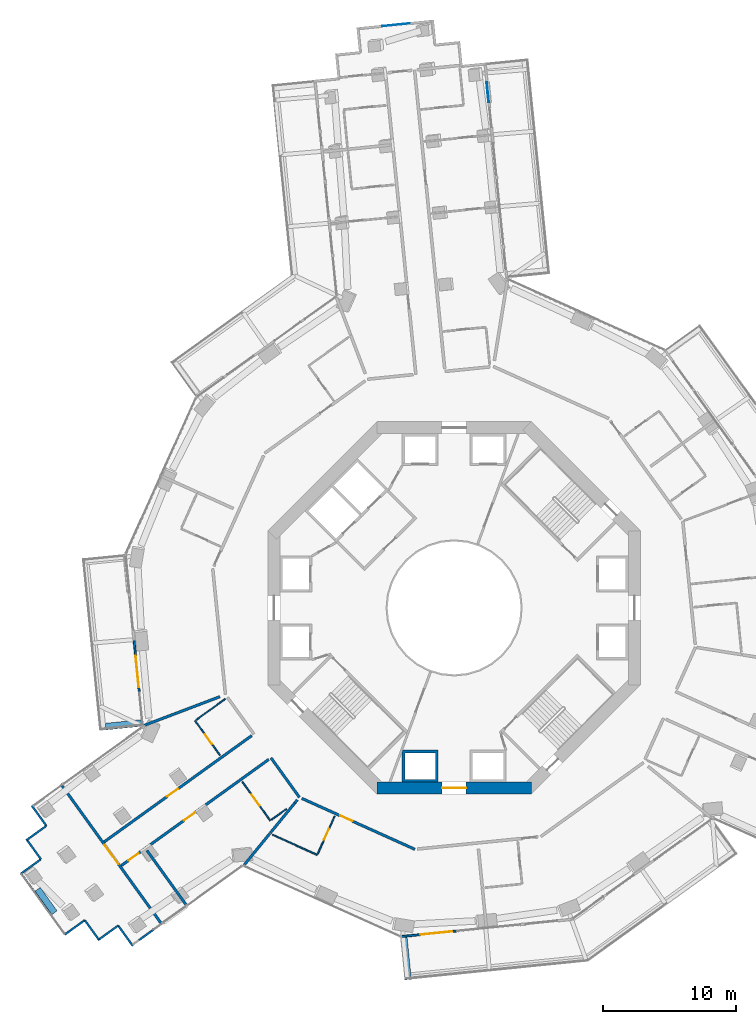
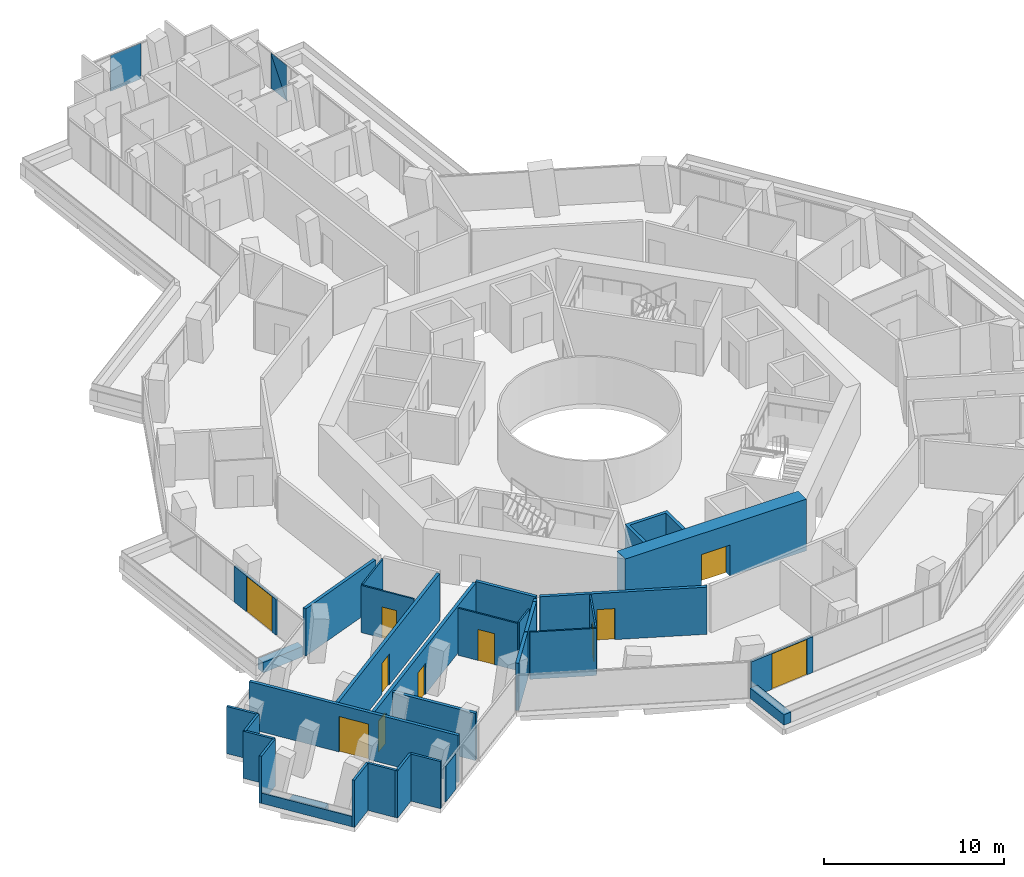
# One storey, part 18 of 26: 33 walls, 11 doors, 3 plates, 11 openings, 2 elements without a shape of their own.
"""IFC4 building model written with IfcOpenShell, lengths in metres."""

from ifc_helpers import new_model, si_unit, direction, frame, frame_2d, origin, origin_2d, place, context, subcontext, project, spatial, polyline, rectangle, outline, extrude, material, layer, layer_set, type_object, element, fill, aggregate, save


model = new_model("IFC4")

# Units and contexts
model_context = context("Model", 3, precision=1e-05, world=origin(), true_north=direction((0.0, 1.0)))
body_context = subcontext(model_context, "Body", "Model", "MODEL_VIEW")
ifc_project = project(units=[si_unit("LENGTHUNIT", "METRE"), si_unit("AREAUNIT", "SQUARE_METRE"), si_unit("VOLUMEUNIT", "CUBIC_METRE"), si_unit("PLANEANGLEUNIT", "RADIAN"), si_unit("MASSUNIT", "GRAM", prefix="KILO")], contexts=[model_context])

# Site, building, storey
site_placement = place(None, origin())
site = spatial("IfcSite", under=ifc_project, at=site_placement, CompositionType="ELEMENT")
building_placement = place(site_placement, origin())
building = spatial("IfcBuilding", under=site, at=building_placement, Name="Verdalira Terraces Hotel", CompositionType="ELEMENT")
storey_placement = place(building_placement, frame((0.0, 0.0, 56.5)))
storey = spatial("IfcBuildingStorey", under=building, at=storey_placement, Name="L12", CompositionType="ELEMENT", Elevation=56.5)

# Curtain wall, plates
ifc_material_1 = material(Name="Clear glass", Category="glass")
ifc_layer_1 = layer(ifc_material_1, 0.14990234375)
ifc_layer_set_1 = layer_set([ifc_layer_1], Name="CW2 curtain wall")
curtain_wall_type_1 = type_object("IfcCurtainWallType", Name="CW2 curtain wall", PredefinedType="NOTDEFINED", material=ifc_layer_set_1)
curtain_wall_1_placement = place(storey_placement, origin())
curtain_wall_1 = element("IfcCurtainWall", 1, at=curtain_wall_1_placement, inside=storey, type_object=curtain_wall_type_1, Name="CW2 curtain wall L12 edge 0", PredefinedType="NOTDEFINED")
ifc_material_2 = material(Name="Clear glass", Category="glass")
ifc_layer_2 = layer(ifc_material_2, 0.031982421875)
ifc_layer_set_2 = layer_set([ifc_layer_2], Name="CW2 glass unit 32")
plate_type_1 = type_object("IfcPlateType", Name="CW2 glass unit 32", PredefinedType="CURTAIN_PANEL", material=ifc_layer_set_2)
plate_1_placement = place(storey_placement, frame((2.53125, 38.764404, 1.212402), z_axis=(0.994951017, 0.100361715, 0.0), x_axis=(-0.100361715, 0.994951017, 0.0)))
plate_1 = element("IfcPlate", 2, at=plate_1_placement, type_object=plate_type_1, Name="CW2 glass unit", PredefinedType="CURTAIN_PANEL", context=body_context, shape_type="SweptSolid", body=[
    extrude(outline(polyline([(-0.759277, -1.212402), (0.759277, -1.212402), (0.759277, 1.212402), (-0.759277, -1.212402)])), origin(), (0.0, 0.0, 1.0), 0.031982),
])
plate_2_placement = place(storey_placement, frame((2.498535, 38.76123, 1.212402), z_axis=(0.994951017, 0.100361715, 0.0), x_axis=(-0.100361715, 0.994951017, 0.0)))
plate_2 = element("IfcPlate", 3, at=plate_2_placement, type_object=plate_type_1, Name="CW2 glass unit", PredefinedType="CURTAIN_PANEL", context=body_context, shape_type="SweptSolid", body=[
    extrude(outline(polyline([(-0.759277, -1.212402), (0.759277, 1.212402), (-0.759277, 1.212402), (-0.759277, -1.212402)])), origin(), (0.0, 0.0, 1.0), 0.031982),
])
aggregate(curtain_wall_1, [plate_1, plate_2])

# Curtain wall, plate
ifc_material_3 = material(Name="Clear glass", Category="glass")
ifc_layer_3 = layer(ifc_material_3, 0.14990234375)
ifc_layer_set_3 = layer_set([ifc_layer_3], Name="CW3 curtain wall")
curtain_wall_type_2 = type_object("IfcCurtainWallType", Name="CW3 curtain wall", PredefinedType="NOTDEFINED", material=ifc_layer_set_3)
curtain_wall_2_placement = place(storey_placement, origin())
curtain_wall_2 = element("IfcCurtainWall", 4, at=curtain_wall_2_placement, inside=storey, type_object=curtain_wall_type_2, Name="CW3 curtain wall L12 edge 5", PredefinedType="NOTDEFINED")
ifc_material_4 = material(Name="Clear glass", Category="glass")
ifc_layer_4 = layer(ifc_material_4, 0.035888671875)
ifc_layer_set_4 = layer_set([ifc_layer_4], Name="CW3 glass unit 36")
plate_type_2 = type_object("IfcPlateType", Name="CW3 glass unit 36", PredefinedType="CURTAIN_PANEL", material=ifc_layer_set_4)
plate_3_placement = place(storey_placement, frame((-4.371338, 43.83667, 0.0), z_axis=(0.0, 0.0, 1.0), x_axis=(-0.994951017, -0.100361715, 0.0)))
plate_3 = element("IfcPlate", 5, at=plate_3_placement, type_object=plate_type_2, Name="CW3 glass unit", PredefinedType="CURTAIN_PANEL", context=body_context, shape_type="SweptSolid", body=[
    extrude(rectangle(XDim=2.080322, YDim=0.035889, at=origin_2d()), origin(), (0.0, 0.0, 1.0), 2.425049),
])
aggregate(curtain_wall_2, [plate_3])

# Walls
ifc_material_5 = material(Name="Concrete C40", Category="concrete")
ifc_layer_5 = layer(ifc_material_5, 0.5)
ifc_layer_set_5 = layer_set([ifc_layer_5], Name="Balcony planter trough with tree")
wall_type_1 = type_object("IfcWallType", Name="Balcony planter trough with tree", PredefinedType="SOLIDWALL", material=ifc_layer_set_5)
wall_1_placement = place(storey_placement, frame((-26.195068, -8.924072, 0.0), z_axis=(0.0, 0.0, 1.0), x_axis=(0.994947233, 0.100399221, 0.0)))
element("IfcWall", 6, at=wall_1_placement, inside=storey, type_object=wall_type_1, Name="Balcony planter", PredefinedType="SOLIDWALL", context=body_context, shape_type="SweptSolid", body=[
    extrude(rectangle(XDim=2.699219, YDim=0.5, at=frame_2d((1.349609, 0.0))), origin(), (0.0, 0.0, 1.0), 0.699951),
])
wall_2_placement = place(storey_placement, frame((-3.783691, -24.76416, 0.0), z_axis=(0.0, 0.0, 1.0), x_axis=(0.100357532, -0.994951439, 0.0)))
element("IfcWall", 7, at=wall_2_placement, inside=storey, type_object=wall_type_1, Name="Balcony planter", PredefinedType="SOLIDWALL", context=body_context, shape_type="SweptSolid", body=[
    extrude(rectangle(XDim=3.198975, YDim=0.5, at=frame_2d((1.599609, 0.0))), origin(), (0.0, 0.0, 1.0), 0.699951),
])

# Wall, opening, door
ifc_material_6 = material(Name="Moisture-resistant gypsum board partition")
ifc_layer_6 = layer(ifc_material_6, 0.10009765625)
ifc_layer_set_6 = layer_set([ifc_layer_6], Name="Bathroom partition 100 mm")
wall_type_2 = type_object("IfcWallType", Name="Bathroom partition 100 mm", PredefinedType="PARTITIONING", material=ifc_layer_set_6)
wall_3_placement = place(storey_placement, frame((-19.474609, -8.479492, 0.0), z_axis=(0.0, 0.0, 1.0), x_axis=(0.584409233, -0.811459086, 0.0)))
wall_3 = element("IfcWall", 8, at=wall_3_placement, inside=storey, type_object=wall_type_2, Name="Bathroom partition", PredefinedType="PARTITIONING", context=body_context, shape_type="SweptSolid", body=[
    extrude(rectangle(XDim=3.199951, YDim=0.100098, at=frame_2d((1.600098, 0.0))), origin(), (0.0, 0.0, 1.0), 3.189941),
])
opening_1_placement = place(wall_3_placement, frame((1.25, 0.0, 0.0)))
opening_1 = element("IfcOpeningElement", 9, at=opening_1_placement, cuts=wall_3, Name="Opening L12-117", PredefinedType="OPENING", context=body_context, shape_type="SweptSolid", body=[
    extrude(rectangle(XDim=0.899902, YDim=2.100098, at=frame_2d((0.449951, 1.050049))), frame((0.0, 0.060059, 0.0), z_axis=(0.0, -1.0, 0.0), x_axis=(1.0, 0.0, 0.0)), (0.0, 0.0, 1.0), 0.120117),
])
ifc_material_7 = material(Name="Timber door", Category="wood")
door_type_1 = type_object("IfcDoorType", Name="Bathroom door 900 x 2100", OperationType="NOTDEFINED", PredefinedType="DOOR", material=ifc_material_7)
door_1_placement = place(opening_1_placement, origin())
door_1 = element("IfcDoor", 10, at=door_1_placement, inside=storey, type_object=door_type_1, Name="Bathroom door 1206", OperationType="SINGLE_SWING_LEFT", OverallHeight=2.10009765625, OverallWidth=0.89990234375, PredefinedType="DOOR", context=body_context, shape_type="SweptSolid", body=[
    extrude(rectangle(XDim=0.899902, YDim=2.100098, at=frame_2d((0.449951, 1.050049))), frame((0.0, 0.024902, 0.0), z_axis=(0.0, -1.0, 0.0), x_axis=(1.0, 0.0, 0.0)), (0.0, 0.0, 1.0), 0.050049),
])
fill(opening_1, door_1)

# Wall
wall_4_placement = place(storey_placement, frame((-19.393311, -8.420898, 0.0), z_axis=(0.0, 0.0, 1.0), x_axis=(0.811460586, 0.58440715, 0.0)))
element("IfcWall", 11, at=wall_4_placement, inside=storey, type_object=wall_type_2, Name="Bathroom partition", PredefinedType="PARTITIONING", context=body_context, shape_type="SweptSolid", body=[
    extrude(rectangle(XDim=2.699951, YDim=0.100098, at=frame_2d((1.350098, 0.0))), origin(), (0.0, 0.0, 1.0), 3.189941),
])

# Wall, opening, door
wall_5_placement = place(storey_placement, frame((-15.922852, -13.069092, 0.0), z_axis=(0.0, 0.0, 1.0), x_axis=(0.584402985, -0.811463586, 0.0)))
wall_5 = element("IfcWall", 12, at=wall_5_placement, inside=storey, type_object=wall_type_2, Name="Bathroom partition", PredefinedType="PARTITIONING", context=body_context, shape_type="SweptSolid", body=[
    extrude(rectangle(XDim=3.599854, YDim=0.100098, at=frame_2d((1.799805, 0.0))), origin(), (0.0, 0.0, 1.0), 3.189941),
])
opening_2_placement = place(wall_5_placement, frame((1.199951, 0.0, 0.0)))
opening_2 = element("IfcOpeningElement", 13, at=opening_2_placement, cuts=wall_5, Name="Opening L12-120", PredefinedType="OPENING", context=body_context, shape_type="SweptSolid", body=[
    extrude(rectangle(XDim=1.0, YDim=2.100098, at=frame_2d((0.5, 1.050049))), frame((0.0, 0.060059, 0.0), z_axis=(0.0, -1.0, 0.0), x_axis=(1.0, 0.0, 0.0)), (0.0, 0.0, 1.0), 0.120117),
])
ifc_material_8 = material(Name="Timber door", Category="wood")
door_type_2 = type_object("IfcDoorType", Name="Bathroom door 1000 x 2100", OperationType="NOTDEFINED", PredefinedType="DOOR", material=ifc_material_8)
door_2_placement = place(opening_2_placement, origin())
door_2 = element("IfcDoor", 14, at=door_2_placement, inside=storey, type_object=door_type_2, Name="Bathroom door 1208", OperationType="SINGLE_SWING_RIGHT", OverallHeight=2.10009765625, OverallWidth=1.0, PredefinedType="DOOR", context=body_context, shape_type="SweptSolid", body=[
    extrude(rectangle(XDim=1.0, YDim=2.100098, at=frame_2d((0.5, 1.050049))), frame((0.0, 0.024902, 0.0), z_axis=(0.0, -1.0, 0.0), x_axis=(1.0, 0.0, 0.0)), (0.0, 0.0, 1.0), 0.050049),
])
fill(opening_2, door_2)

# Walls
wall_6_placement = place(storey_placement, frame((-12.603027, -15.114502, 0.0), z_axis=(0.0, 0.0, 1.0), x_axis=(-0.811415122, -0.584470273, 0.0)))
element("IfcWall", 15, at=wall_6_placement, inside=storey, type_object=wall_type_2, Name="Bathroom partition", PredefinedType="PARTITIONING", context=body_context, shape_type="SweptSolid", body=[
    extrude(rectangle(XDim=1.398438, YDim=0.100098, at=frame_2d((0.699219, 0.0))), origin(), (0.0, 0.0, 1.0), 3.189941),
])
wall_7_placement = place(storey_placement, frame((-10.290039, -18.571045, 0.0), z_axis=(0.0, 0.0, 1.0), x_axis=(-0.911830219, 0.410567474, 0.0)))
element("IfcWall", 16, at=wall_7_placement, inside=storey, type_object=wall_type_2, Name="Bathroom partition", PredefinedType="PARTITIONING", context=body_context, shape_type="SweptSolid", body=[
    extrude(rectangle(XDim=3.704102, YDim=0.100098, at=frame_2d((1.852051, 0.0))), origin(), (0.0, 0.0, 1.0), 3.189941),
])

# Wall, opening, door
wall_8_placement = place(storey_placement, frame((-10.249023, -18.479736, 0.0), z_axis=(0.0, 0.0, 1.0), x_axis=(0.4105546, 0.911836016, 0.0)))
wall_8 = element("IfcWall", 17, at=wall_8_placement, inside=storey, type_object=wall_type_2, Name="Bathroom partition", PredefinedType="PARTITIONING", context=body_context, shape_type="SweptSolid", body=[
    extrude(rectangle(XDim=3.099854, YDim=0.100098, at=frame_2d((1.549805, 0.0))), origin(), (0.0, 0.0, 1.0), 3.189941),
])
opening_3_placement = place(wall_8_placement, frame((1.149902, 0.0, 0.0)))
opening_3 = element("IfcOpeningElement", 18, at=opening_3_placement, cuts=wall_8, Name="Opening L12-122", PredefinedType="OPENING", context=body_context, shape_type="SweptSolid", body=[
    extrude(rectangle(XDim=0.899902, YDim=2.100098, at=frame_2d((0.449951, 1.050049))), frame((0.0, 0.060059, 0.0), z_axis=(0.0, -1.0, 0.0), x_axis=(1.0, 0.0, 0.0)), (0.0, 0.0, 1.0), 0.120117),
])
door_3_placement = place(opening_3_placement, origin())
door_3 = element("IfcDoor", 19, at=door_3_placement, inside=storey, type_object=door_type_1, Name="Bathroom door 1209", OperationType="SINGLE_SWING_LEFT", OverallHeight=2.10009765625, OverallWidth=0.89990234375, PredefinedType="DOOR", context=body_context, shape_type="SweptSolid", body=[
    extrude(rectangle(XDim=0.899902, YDim=2.100098, at=frame_2d((0.449951, 1.050049))), frame((0.0, 0.024902, 0.0), z_axis=(0.0, -1.0, 0.0), x_axis=(1.0, 0.0, 0.0)), (0.0, 0.0, 1.0), 0.050049),
])
fill(opening_3, door_3)

# Wall
ifc_material_9 = material(Name="Concrete C50", Category="concrete")
ifc_layer_7 = layer(ifc_material_9, 0.199951171875)
ifc_layer_set_7 = layer_set([ifc_layer_7], Name="Core RC wall 200 C50")
wall_type_3 = type_object("IfcWallType", Name="Core RC wall 200 C50", PredefinedType="SOLIDWALL", material=ifc_layer_set_7)
wall_9_placement = place(storey_placement, origin())
element("IfcWall", 20, at=wall_9_placement, inside=storey, type_object=wall_type_3, Name="L12 shaft wall S1", PredefinedType="SOLIDWALL", context=body_context, shape_type="SweptSolid", body=[
    extrude(outline(polyline([(-1.199951, -13.100098), (-3.899902, -13.100098), (-3.899902, -10.699951), (-1.199951, -10.699951), (-1.199951, -13.100098)]), holes=[polyline([(-3.699951, -10.899902), (-3.699951, -12.899902), (-1.399902, -12.899902), (-1.399902, -10.899902), (-3.699951, -10.899902)])]), origin(), (0.0, 0.0, 1.0), 3.189941),
])

# Wall, opening, door
ifc_material_10 = material(Name="Concrete C70", Category="concrete")
ifc_layer_8 = layer(ifc_material_10, 0.89990234375)
ifc_layer_set_8 = layer_set([ifc_layer_8], Name="Core wall 900 C70")
wall_type_4 = type_object("IfcWallType", Name="Core wall 900 C70", PredefinedType="SHEAR", material=ifc_layer_set_8)
wall_10_placement = place(storey_placement, frame((-5.799072, -13.550049, 0.0), z_axis=(0.0, 0.0, 1.0), x_axis=(1.0, 0.0, 0.0)))
wall_10 = element("IfcWall", 21, at=wall_10_placement, inside=storey, type_object=wall_type_4, Name="Core wall CW-L12-7", PredefinedType="SHEAR", context=body_context, shape_type="SweptSolid", body=[
    extrude(rectangle(XDim=11.598145, YDim=0.899902, at=frame_2d((5.799072, 0.0))), origin(), (0.0, 0.0, 1.0), 3.5),
])
opening_4_placement = place(wall_10_placement, frame((4.898926, 0.0, 0.0)))
opening_4 = element("IfcOpeningElement", 22, at=opening_4_placement, cuts=wall_10, Name="Opening L12-815", PredefinedType="OPENING", context=body_context, shape_type="SweptSolid", body=[
    extrude(rectangle(XDim=1.800049, YDim=2.100098, at=frame_2d((0.899902, 1.050049))), frame((0.0, 0.459961, 0.0), z_axis=(0.0, -1.0, 0.0), x_axis=(1.0, 0.0, 0.0)), (0.0, 0.0, 1.0), 0.919922),
])
ifc_material_11 = material(Name="Steel fire door", Category="steel")
door_type_3 = type_object("IfcDoorType", Name="Core entry door pair 1800 x 2100", OperationType="NOTDEFINED", PredefinedType="DOOR", material=ifc_material_11)
door_4_placement = place(opening_4_placement, origin())
door_4 = element("IfcDoor", 23, at=door_4_placement, inside=storey, type_object=door_type_3, Name="Core entry door L12 6", OperationType="DOUBLE_DOOR_SINGLE_SWING", OverallHeight=2.10009765625, OverallWidth=1.800048828125, PredefinedType="DOOR", context=body_context, shape_type="SweptSolid", body=[
    extrude(rectangle(XDim=1.800049, YDim=2.100098, at=frame_2d((0.899902, 1.050049))), frame((0.0, 0.024902, 0.0), z_axis=(0.0, -1.0, 0.0), x_axis=(1.0, 0.0, 0.0)), (0.0, 0.0, 1.0), 0.050049),
])
fill(opening_4, door_4)

# Walls
ifc_material_12 = material(Name="Fire-rated gypsum board wall")
ifc_layer_9 = layer(ifc_material_12, 0.199951171875)
ifc_layer_set_9 = layer_set([ifc_layer_9], Name="Demising wall 200 mm")
wall_type_5 = type_object("IfcWallType", Name="Demising wall 200 mm", PredefinedType="SOLIDWALL", material=ifc_layer_set_9)
wall_11_placement = place(storey_placement, frame((-17.609375, -6.675049, 0.0), z_axis=(0.0, 0.0, 1.0), x_axis=(-0.935069892, -0.354463393, 0.0)))
element("IfcWall", 24, at=wall_11_placement, inside=storey, type_object=wall_type_5, Name="Demising wall", PredefinedType="SOLIDWALL", context=body_context, shape_type="SweptSolid", body=[
    extrude(rectangle(XDim=6.13208, YDim=0.199951, at=frame_2d((3.065918, 0.0))), origin(), (0.0, 0.0, 1.0), 3.189941),
])
wall_12_placement = place(storey_placement, frame((-13.85498, -16.963623, 0.0), z_axis=(0.0, 0.0, 1.0), x_axis=(-0.632560086, -0.77451129, 0.0)))
element("IfcWall", 25, at=wall_12_placement, inside=storey, type_object=wall_type_5, Name="Demising wall", PredefinedType="SOLIDWALL", context=body_context, shape_type="SweptSolid", body=[
    extrude(rectangle(XDim=3.061523, YDim=0.199951, at=frame_2d((1.530762, 0.0))), origin(), (0.0, 0.0, 1.0), 3.189941),
])
wall_13_placement = place(storey_placement, frame((-11.97583, -14.663086, 0.0), z_axis=(0.0, 0.0, 1.0), x_axis=(-0.632623877, -0.774459186, 0.0)))
element("IfcWall", 26, at=wall_13_placement, inside=storey, type_object=wall_type_5, Name="Demising wall", PredefinedType="SOLIDWALL", context=body_context, shape_type="SweptSolid", body=[
    extrude(rectangle(XDim=2.924561, YDim=0.199951, at=frame_2d((1.462402, 0.0))), origin(), (0.0, 0.0, 1.0), 3.189941),
])
wall_14_placement = place(storey_placement, frame((-11.7854, -14.429688, 0.0), z_axis=(0.0, 0.0, 1.0), x_axis=(-0.63217795, -0.774823231, 0.0)))
element("IfcWall", 27, at=wall_14_placement, inside=storey, type_object=wall_type_5, Name="Demising wall", PredefinedType="SOLIDWALL", context=body_context, shape_type="SweptSolid", body=[
    extrude(rectangle(XDim=0.30127, YDim=0.199951, at=frame_2d((0.150635, 0.0))), origin(), (0.0, 0.0, 1.0), 3.189941),
])

# Wall, opening, door
ifc_material_13 = material(Name="Fire-rated gypsum board wall")
ifc_layer_10 = layer(ifc_material_13, 0.199951171875)
ifc_layer_set_10 = layer_set([ifc_layer_10], Name="Guest corridor wall 200 mm")
wall_type_6 = type_object("IfcWallType", Name="Guest corridor wall 200 mm", PredefinedType="SOLIDWALL", material=ifc_layer_set_10)
wall_15_placement = place(storey_placement, frame((-26.325195, -17.602783, 0.0), z_axis=(0.0, 0.0, 1.0), x_axis=(0.811471763, 0.584391631, 0.0)))
wall_15 = element("IfcWall", 28, at=wall_15_placement, inside=storey, type_object=wall_type_6, Name="Guest corridor wall", PredefinedType="SOLIDWALL", context=body_context, shape_type="SweptSolid", body=[
    extrude(rectangle(XDim=13.690674, YDim=0.199951, at=frame_2d((6.845215, 0.0))), origin(), (0.0, 0.0, 1.0), 3.189941),
])
opening_5_placement = place(wall_15_placement, frame((5.850098, 0.0, 0.0)))
opening_5 = element("IfcOpeningElement", 29, at=opening_5_placement, cuts=wall_15, Name="Opening L12-116", PredefinedType="OPENING", context=body_context, shape_type="SweptSolid", body=[
    extrude(rectangle(XDim=1.0, YDim=2.100098, at=frame_2d((0.5, 1.050049))), frame((0.0, 0.109863, 0.0), z_axis=(0.0, -1.0, 0.0), x_axis=(1.0, 0.0, 0.0)), (0.0, 0.0, 1.0), 0.219971),
])
ifc_material_14 = material(Name="Timber fire door", Category="wood")
door_type_4 = type_object("IfcDoorType", Name="Guest entry door 1000 x 2100", OperationType="NOTDEFINED", PredefinedType="DOOR", material=ifc_material_14)
door_5_placement = place(opening_5_placement, origin())
door_5 = element("IfcDoor", 30, at=door_5_placement, inside=storey, type_object=door_type_4, Name="Guest entry door 1206", OperationType="SINGLE_SWING_LEFT", OverallHeight=2.10009765625, OverallWidth=1.0, PredefinedType="DOOR", context=body_context, shape_type="SweptSolid", body=[
    extrude(rectangle(XDim=1.0, YDim=2.100098, at=frame_2d((0.5, 1.050049))), frame((0.0, 0.024902, 0.0), z_axis=(0.0, -1.0, 0.0), x_axis=(1.0, 0.0, 0.0)), (0.0, 0.0, 1.0), 0.050049),
])
fill(opening_5, door_5)

# Wall, openings, doors
wall_16_placement = place(storey_placement, frame((-13.929932, -11.387207, 0.0), z_axis=(0.0, 0.0, 1.0), x_axis=(-0.811463307, -0.584403373, 0.0)))
wall_16 = element("IfcWall", 31, at=wall_16_placement, inside=storey, type_object=wall_type_6, Name="Guest corridor wall", PredefinedType="SOLIDWALL", context=body_context, shape_type="SweptSolid", body=[
    extrude(rectangle(XDim=13.690918, YDim=0.199951, at=frame_2d((6.845459, 0.0))), origin(), (0.0, 0.0, 1.0), 3.189941),
])
opening_6_placement = place(wall_16_placement, frame((12.085449, 0.0, 0.0)))
opening_6 = element("IfcOpeningElement", 32, at=opening_6_placement, cuts=wall_16, Name="Opening L12-118", PredefinedType="OPENING", context=body_context, shape_type="SweptSolid", body=[
    extrude(rectangle(XDim=0.899902, YDim=2.100098, at=frame_2d((0.449951, 1.050049))), frame((0.0, 0.109863, 0.0), z_axis=(0.0, -1.0, 0.0), x_axis=(1.0, 0.0, 0.0)), (0.0, 0.0, 1.0), 0.219971),
])
opening_7_placement = place(wall_16_placement, frame((6.850098, 0.0, 0.0)))
opening_7 = element("IfcOpeningElement", 33, at=opening_7_placement, cuts=wall_16, Name="Opening L12-119", PredefinedType="OPENING", context=body_context, shape_type="SweptSolid", body=[
    extrude(rectangle(XDim=1.0, YDim=2.100098, at=frame_2d((0.5, 1.050049))), frame((0.0, 0.109863, 0.0), z_axis=(0.0, -1.0, 0.0), x_axis=(1.0, 0.0, 0.0)), (0.0, 0.0, 1.0), 0.219971),
])
door_6_placement = place(opening_7_placement, origin())
door_6 = element("IfcDoor", 34, at=door_6_placement, inside=storey, type_object=door_type_4, Name="Guest entry door 1208", OperationType="SINGLE_SWING_RIGHT", OverallHeight=2.10009765625, OverallWidth=1.0, PredefinedType="DOOR", context=body_context, shape_type="SweptSolid", body=[
    extrude(rectangle(XDim=1.0, YDim=2.100098, at=frame_2d((0.5, 1.050049))), frame((0.0, 0.024902, 0.0), z_axis=(0.0, -1.0, 0.0), x_axis=(1.0, 0.0, 0.0)), (0.0, 0.0, 1.0), 0.050049),
])
fill(opening_7, door_6)
ifc_material_15 = material(Name="Steel fire door", Category="steel")
door_type_5 = type_object("IfcDoorType", Name="Service room door 900 x 2100", OperationType="NOTDEFINED", PredefinedType="DOOR", material=ifc_material_15)
door_7_placement = place(opening_6_placement, origin())
door_7 = element("IfcDoor", 35, at=door_7_placement, inside=storey, type_object=door_type_5, Name="Service room door 1207", OperationType="SINGLE_SWING_LEFT", OverallHeight=2.10009765625, OverallWidth=0.89990234375, PredefinedType="DOOR", context=body_context, shape_type="SweptSolid", body=[
    extrude(rectangle(XDim=0.899902, YDim=2.100098, at=frame_2d((0.449951, 1.050049))), frame((0.0, 0.024902, 0.0), z_axis=(0.0, -1.0, 0.0), x_axis=(1.0, 0.0, 0.0)), (0.0, 0.0, 1.0), 0.050049),
])
fill(opening_6, door_7)

# Wall
wall_17_placement = place(storey_placement, frame((-13.767578, -11.270508, 0.0), z_axis=(0.0, 0.0, 1.0), x_axis=(0.58441548, -0.811454587, 0.0)))
element("IfcWall", 36, at=wall_17_placement, inside=storey, type_object=wall_type_6, Name="Guest corridor wall", PredefinedType="SOLIDWALL", context=body_context, shape_type="SweptSolid", body=[
    extrude(rectangle(XDim=3.658203, YDim=0.199951, at=frame_2d((1.829102, 0.0))), origin(), (0.0, 0.0, 1.0), 3.189941),
])

# Wall, opening, door
wall_18_placement = place(storey_placement, frame((-2.952393, -18.145996, 0.0), z_axis=(0.0, 0.0, 1.0), x_axis=(-0.911840581, 0.410544462, 0.0)))
wall_18 = element("IfcWall", 37, at=wall_18_placement, inside=storey, type_object=wall_type_6, Name="Guest corridor wall", PredefinedType="SOLIDWALL", context=body_context, shape_type="SweptSolid", body=[
    extrude(rectangle(XDim=9.316162, YDim=0.199951, at=frame_2d((4.658203, 0.0))), origin(), (0.0, 0.0, 1.0), 3.189941),
])
opening_8_placement = place(wall_18_placement, frame((5.149902, 0.0, 0.0)))
opening_8 = element("IfcOpeningElement", 38, at=opening_8_placement, cuts=wall_18, Name="Opening L12-121", PredefinedType="OPENING", context=body_context, shape_type="SweptSolid", body=[
    extrude(rectangle(XDim=1.0, YDim=2.100098, at=frame_2d((0.5, 1.050049))), frame((0.0, 0.109863, 0.0), z_axis=(0.0, -1.0, 0.0), x_axis=(1.0, 0.0, 0.0)), (0.0, 0.0, 1.0), 0.219971),
])
door_8_placement = place(opening_8_placement, origin())
door_8 = element("IfcDoor", 39, at=door_8_placement, inside=storey, type_object=door_type_4, Name="Guest entry door 1209", OperationType="SINGLE_SWING_LEFT", OverallHeight=2.10009765625, OverallWidth=1.0, PredefinedType="DOOR", context=body_context, shape_type="SweptSolid", body=[
    extrude(rectangle(XDim=1.0, YDim=2.100098, at=frame_2d((0.5, 1.050049))), frame((0.0, 0.024902, 0.0), z_axis=(0.0, -1.0, 0.0), x_axis=(1.0, 0.0, 0.0)), (0.0, 0.0, 1.0), 0.050049),
])
fill(opening_8, door_8)

ifc_material_16 = material(Name="Terracotta cladding", Category="masonry")
ifc_layer_11 = layer(ifc_material_16, 0.199951171875)
ifc_layer_set_11 = layer_set([ifc_layer_11], Name="Loggia back wall 200")
wall_type_7 = type_object("IfcWallType", Name="Loggia back wall 200", PredefinedType="SOLIDWALL", material=ifc_layer_set_11)
wall_19_placement = place(storey_placement, frame((-22.036377, -23.695068, 0.0), z_axis=(0.0, 0.0, 1.0), x_axis=(-0.584397903, 0.811467246, 0.0)))
wall_19 = element("IfcWall", 40, at=wall_19_placement, inside=storey, type_object=wall_type_7, Name="Loggia back wall", PredefinedType="SOLIDWALL", context=body_context, shape_type="SweptSolid", body=[
    extrude(rectangle(XDim=12.699951, YDim=0.199951, at=frame_2d((6.350098, 0.0))), origin(), (0.0, 0.0, 1.0), 3.189941),
])
opening_9_placement = place(wall_19_placement, frame((5.449951, 0.0, 0.0)))
opening_9 = element("IfcOpeningElement", 41, at=opening_9_placement, cuts=wall_19, Name="Opening L12-L01", PredefinedType="OPENING", context=body_context, shape_type="SweptSolid", body=[
    extrude(rectangle(XDim=1.800049, YDim=2.399902, at=frame_2d((0.899902, 1.199951))), frame((0.0, 0.109863, 0.0), z_axis=(0.0, -1.0, 0.0), x_axis=(1.0, 0.0, 0.0)), (0.0, 0.0, 1.0), 0.219971),
])
ifc_material_17 = material(Name="Clear glass", Category="glass")
door_type_6 = type_object("IfcDoorType", Name="Garden double door 1800x2400", OperationType="NOTDEFINED", PredefinedType="DOOR", material=ifc_material_17)
door_9_placement = place(opening_9_placement, origin())
door_9 = element("IfcDoor", 42, at=door_9_placement, inside=storey, type_object=door_type_6, Name="Loggia double door", OperationType="DOUBLE_DOOR_SINGLE_SWING", OverallHeight=2.39990234375, OverallWidth=1.800048828125, PredefinedType="DOOR", context=body_context, shape_type="SweptSolid", body=[
    extrude(rectangle(XDim=1.800049, YDim=2.399902, at=frame_2d((0.899902, 1.199951))), frame((0.0, 0.024902, 0.0), z_axis=(0.0, -1.0, 0.0), x_axis=(1.0, 0.0, 0.0)), (0.0, 0.0, 1.0), 0.050049),
])
fill(opening_9, door_9)

# Walls
ifc_material_18 = material(Name="Concrete C40", Category="concrete")
ifc_layer_12 = layer(ifc_material_18, 0.5)
ifc_layer_set_12 = layer_set([ifc_layer_12], Name="Loggia planter trough with tree")
wall_type_8 = type_object("IfcWallType", Name="Loggia planter trough with tree", PredefinedType="SOLIDWALL", material=ifc_layer_set_12)
wall_20_placement = place(storey_placement, frame((-31.318359, -21.15918, 0.0), z_axis=(0.0, 0.0, 1.0), x_axis=(0.584402441, -0.811463978, 0.0)))
element("IfcWall", 43, at=wall_20_placement, inside=storey, type_object=wall_type_8, Name="Loggia planter", PredefinedType="SOLIDWALL", context=body_context, shape_type="SweptSolid", body=[
    extrude(rectangle(XDim=2.171875, YDim=0.5, at=frame_2d((1.085938, 0.0))), origin(), (0.0, 0.0, 1.0), 0.699951),
])
ifc_material_19 = material(Name="Concrete C40", Category="concrete")
ifc_layer_13 = layer(ifc_material_19, 0.10009765625)
ifc_layer_set_13 = layer_set([ifc_layer_13], Name="Loggia upstand 100")
wall_type_9 = type_object("IfcWallType", Name="Loggia upstand 100", PredefinedType="SOLIDWALL", material=ifc_layer_set_13)
wall_21_placement = place(storey_placement, frame((-32.507324, -20.021484, 0.0), z_axis=(0.0, 0.0, 1.0), x_axis=(0.584383071, -0.811477927, 0.0)))
element("IfcWall", 44, at=wall_21_placement, inside=storey, type_object=wall_type_9, Name="Loggia upstand", PredefinedType="SOLIDWALL", context=body_context, shape_type="SweptSolid", body=[
    extrude(rectangle(XDim=5.5, YDim=0.100098, at=frame_2d((2.75, 0.0))), origin(), (0.0, 0.0, 1.0), 0.699951),
])
ifc_material_20 = material(Name="Fire-rated gypsum board wall")
ifc_layer_14 = layer(ifc_material_20, 0.199951171875)
ifc_layer_set_14 = layer_set([ifc_layer_14], Name="Service room wall 200 mm")
wall_type_10 = type_object("IfcWallType", Name="Service room wall 200 mm", PredefinedType="SOLIDWALL", material=ifc_layer_set_14)
wall_22_placement = place(storey_placement, frame((-23.092529, -18.232422, 0.0), z_axis=(0.0, 0.0, 1.0), x_axis=(0.584393873, -0.811470148, 0.0)))
element("IfcWall", 45, at=wall_22_placement, inside=storey, type_object=wall_type_10, Name="Service room wall", PredefinedType="SOLIDWALL", context=body_context, shape_type="SweptSolid", body=[
    extrude(rectangle(XDim=5.050049, YDim=0.199951, at=frame_2d((2.524902, 0.0))), origin(), (0.0, 0.0, 1.0), 3.189941),
])
ifc_material_21 = material(Name="Terracotta cladding", Category="masonry")
ifc_layer_15 = layer(ifc_material_21, 0.14990234375)
ifc_layer_set_15 = layer_set([ifc_layer_15], Name="Terracotta clad wall 150")
wall_type_11 = type_object("IfcWallType", Name="Terracotta clad wall 150", PredefinedType="SOLIDWALL", material=ifc_layer_set_15)
wall_23_placement = place(storey_placement, frame((-31.75708, -14.860107, 0.0), z_axis=(0.0, 0.0, 1.0), x_axis=(0.584387048, -0.811475063, 0.0)))
element("IfcWall", 46, at=wall_23_placement, inside=storey, type_object=wall_type_11, Name="Terracotta cladding wall", PredefinedType="SOLIDWALL", context=body_context, shape_type="SweptSolid", body=[
    extrude(rectangle(XDim=1.875, YDim=0.149902, at=frame_2d((0.9375, 0.0))), origin(), (0.0, 0.0, 1.0), 3.189941),
])
wall_24_placement = place(storey_placement, frame((-30.661377, -16.381592, 0.0), z_axis=(0.0, 0.0, 1.0), x_axis=(-0.811454587, -0.58441548, 0.0)))
element("IfcWall", 47, at=wall_24_placement, inside=storey, type_object=wall_type_11, Name="Terracotta cladding wall", PredefinedType="SOLIDWALL", context=body_context, shape_type="SweptSolid", body=[
    extrude(rectangle(XDim=1.800049, YDim=0.149902, at=frame_2d((0.899902, 0.0))), origin(), (0.0, 0.0, 1.0), 3.189941),
])
for number, where, z_axis, x_axis, name in (
    (48, (-32.165771, -17.372803, 0.0), (0.0, 0.0, 1.0), (0.584387048, -0.811475063, 0.0), "Terracotta cladding wall"),
    (49, (-31.070068, -18.894287, 0.0), (0.0, 0.0, 1.0), (-0.811475063, -0.584387048, 0.0), "Terracotta cladding wall"),
    (50, (-29.289795, -24.574707, 0.0), (0.0, 0.0, 1.0), (0.811475063, 0.584387048, 0.0), "Terracotta cladding wall"),
):
    element("IfcWall", number, at=place(storey_placement, frame(where, z_axis=z_axis, x_axis=x_axis)), inside=storey, type_object=wall_type_11, Name=name, PredefinedType="SOLIDWALL", context=body_context, shape_type="SweptSolid", body=[
        extrude(rectangle(XDim=1.875, YDim=0.149902, at=frame_2d((0.9375, 0.0))), origin(), (0.0, 0.0, 1.0), 3.189941),
    ])
wall_25_placement = place(storey_placement, frame((-27.768311, -23.479004, 0.0), z_axis=(0.0, 0.0, 1.0), x_axis=(0.58441548, -0.811454587, 0.0)))
element("IfcWall", 51, at=wall_25_placement, inside=storey, type_object=wall_type_11, Name="Terracotta cladding wall", PredefinedType="SOLIDWALL", context=body_context, shape_type="SweptSolid", body=[
    extrude(rectangle(XDim=1.800049, YDim=0.149902, at=frame_2d((0.899902, 0.0))), origin(), (0.0, 0.0, 1.0), 3.189941),
])
for number, where, z_axis, x_axis, name in (
    (52, (-26.777344, -24.983398, 0.0), (0.0, 0.0, 1.0), (0.811475063, 0.584387048, 0.0), "Terracotta cladding wall"),
    (53, (-25.255859, -23.887695, 0.0), (0.0, 0.0, 1.0), (0.584387048, -0.811475063, 0.0), "Terracotta cladding wall"),
):
    element("IfcWall", number, at=place(storey_placement, frame(where, z_axis=z_axis, x_axis=x_axis)), inside=storey, type_object=wall_type_11, Name=name, PredefinedType="SOLIDWALL", context=body_context, shape_type="SweptSolid", body=[
        extrude(rectangle(XDim=1.875, YDim=0.149902, at=frame_2d((0.9375, 0.0))), origin(), (0.0, 0.0, 1.0), 3.189941),
    ])
ifc_material_22 = material(Name="Terracotta cladding", Category="masonry")
ifc_layer_16 = layer(ifc_material_22, 0.14990234375)
ifc_layer_set_16 = layer_set([ifc_layer_16], Name="Terracotta column pier 150")
wall_type_12 = type_object("IfcWallType", Name="Terracotta column pier 150", PredefinedType="SOLIDWALL", material=ifc_layer_set_16)
wall_26_placement = place(storey_placement, frame((-23.696777, -24.983154, 0.0), z_axis=(0.0, 0.0, 1.0), x_axis=(0.811500362, 0.584351916, 0.0)))
element("IfcWall", 54, at=wall_26_placement, inside=storey, type_object=wall_type_12, Name="Terracotta column pier", PredefinedType="SOLIDWALL", context=body_context, shape_type="SweptSolid", body=[
    extrude(rectangle(XDim=1.362793, YDim=0.149902, at=frame_2d((0.681396, 0.0))), origin(), (0.0, 0.0, 1.0), 2.425049),
])

# Wall, opening, door
ifc_material_23 = material(Name="Terracotta cladding", Category="masonry")
ifc_layer_17 = layer(ifc_material_23, 0.14990234375)
ifc_layer_set_17 = layer_set([ifc_layer_17], Name="Terracotta door pier 150")
wall_type_13 = type_object("IfcWallType", Name="Terracotta door pier 150", PredefinedType="SOLIDWALL", material=ifc_layer_set_17)
wall_27_placement = place(storey_placement, frame((-24.061279, -2.427002, 0.0), z_axis=(0.0, 0.0, 1.0), x_axis=(0.100352013, -0.994951996, 0.0)))
wall_27 = element("IfcWall", 55, at=wall_27_placement, inside=storey, type_object=wall_type_13, Name="Terracotta door pier", PredefinedType="SOLIDWALL", context=body_context, shape_type="SweptSolid", body=[
    extrude(rectangle(XDim=3.960693, YDim=0.149902, at=frame_2d((1.980469, 0.0))), origin(), (0.0, 0.0, 1.0), 2.425049),
])
opening_10_placement = place(wall_27_placement, frame((1.1604, 0.0, 0.0)))
opening_10 = element("IfcOpeningElement", 56, at=opening_10_placement, cuts=wall_27, Name="Opening L12-B10", PredefinedType="OPENING", context=body_context, shape_type="SweptSolid", body=[
    extrude(rectangle(XDim=2.399902, YDim=2.399902, at=frame_2d((1.199951, 1.199951))), frame((0.0, 0.084961, 0.0), z_axis=(0.0, -1.0, 0.0), x_axis=(1.0, 0.0, 0.0)), (0.0, 0.0, 1.0), 0.169922),
])
ifc_material_24 = material(Name="Clear glass", Category="glass")
door_type_7 = type_object("IfcDoorType", Name="Balcony sliding door 2400x2400", OperationType="NOTDEFINED", PredefinedType="DOOR", material=ifc_material_24)
door_10_placement = place(opening_10_placement, origin())
door_10 = element("IfcDoor", 57, at=door_10_placement, inside=storey, type_object=door_type_7, Name="Balcony sliding door", OperationType="SLIDING_TO_LEFT", OverallHeight=2.39990234375, OverallWidth=2.39990234375, PredefinedType="DOOR", context=body_context, shape_type="SweptSolid", body=[
    extrude(rectangle(XDim=2.399902, YDim=2.399902, at=frame_2d((1.199951, 1.199951))), frame((0.0, 0.024902, 0.0), z_axis=(0.0, -1.0, 0.0), x_axis=(1.0, 0.0, 0.0)), (0.0, 0.0, 1.0), 0.050049),
])
fill(opening_10, door_10)

wall_28_placement = place(storey_placement, frame((-3.94043, -24.703613, 0.0), z_axis=(0.0, 0.0, 1.0), x_axis=(0.994951039, 0.100361492, 0.0)))
wall_28 = element("IfcWall", 58, at=wall_28_placement, inside=storey, type_object=wall_type_13, Name="Terracotta door pier", PredefinedType="SOLIDWALL", context=body_context, shape_type="SweptSolid", body=[
    extrude(rectangle(XDim=4.19873, YDim=0.149902, at=frame_2d((2.099365, 0.0))), origin(), (0.0, 0.0, 1.0), 2.425049),
])
opening_11_placement = place(wall_28_placement, frame((1.398682, 0.0, 0.0)))
opening_11 = element("IfcOpeningElement", 59, at=opening_11_placement, cuts=wall_28, Name="Opening L12-B11", PredefinedType="OPENING", context=body_context, shape_type="SweptSolid", body=[
    extrude(rectangle(XDim=2.399902, YDim=2.399902, at=frame_2d((1.199951, 1.199951))), frame((0.0, 0.084961, 0.0), z_axis=(0.0, -1.0, 0.0), x_axis=(1.0, 0.0, 0.0)), (0.0, 0.0, 1.0), 0.169922),
])
door_11_placement = place(opening_11_placement, origin())
door_11 = element("IfcDoor", 60, at=door_11_placement, inside=storey, type_object=door_type_7, Name="Balcony sliding door", OperationType="SLIDING_TO_LEFT", OverallHeight=2.39990234375, OverallWidth=2.39990234375, PredefinedType="DOOR", context=body_context, shape_type="SweptSolid", body=[
    extrude(rectangle(XDim=2.399902, YDim=2.399902, at=frame_2d((1.199951, 1.199951))), frame((0.0, 0.024902, 0.0), z_axis=(0.0, -1.0, 0.0), x_axis=(1.0, 0.0, 0.0)), (0.0, 0.0, 1.0), 0.050049),
])
fill(opening_11, door_11)

save(model, "model.ifc")
